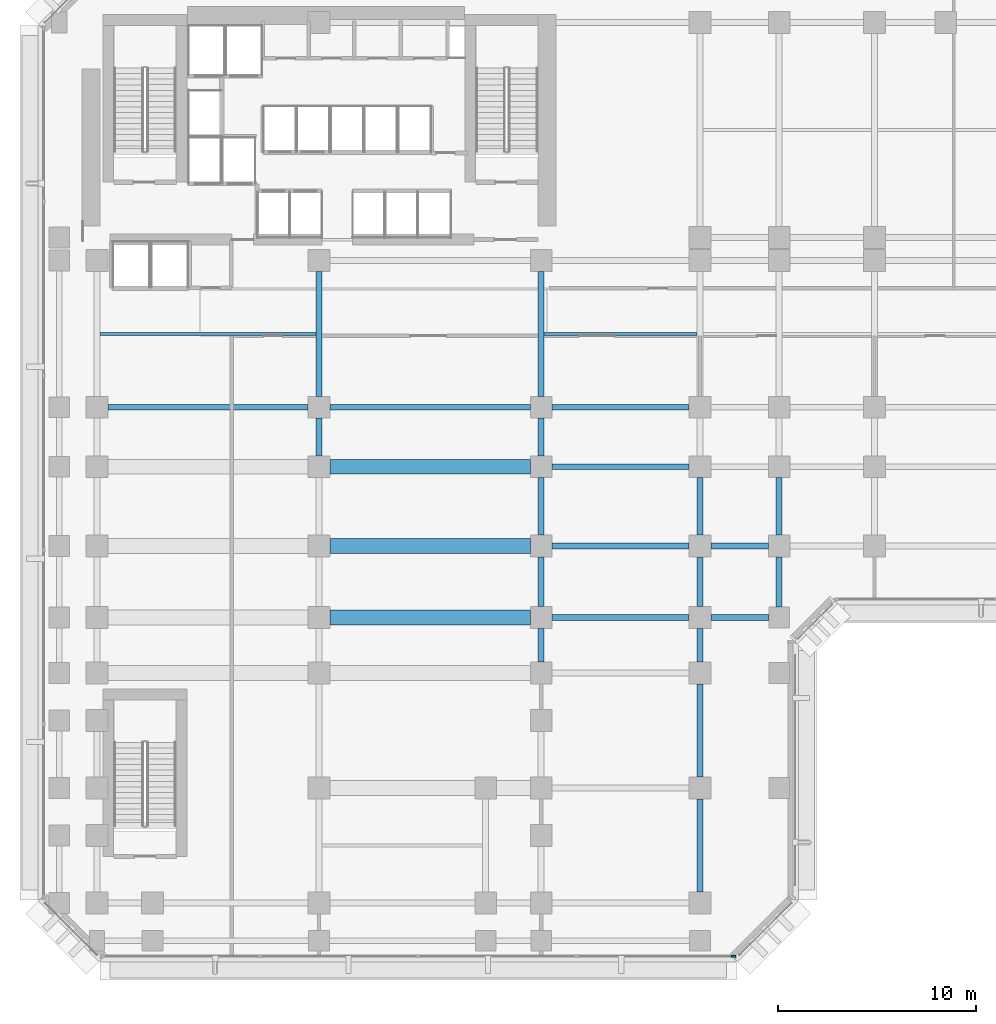
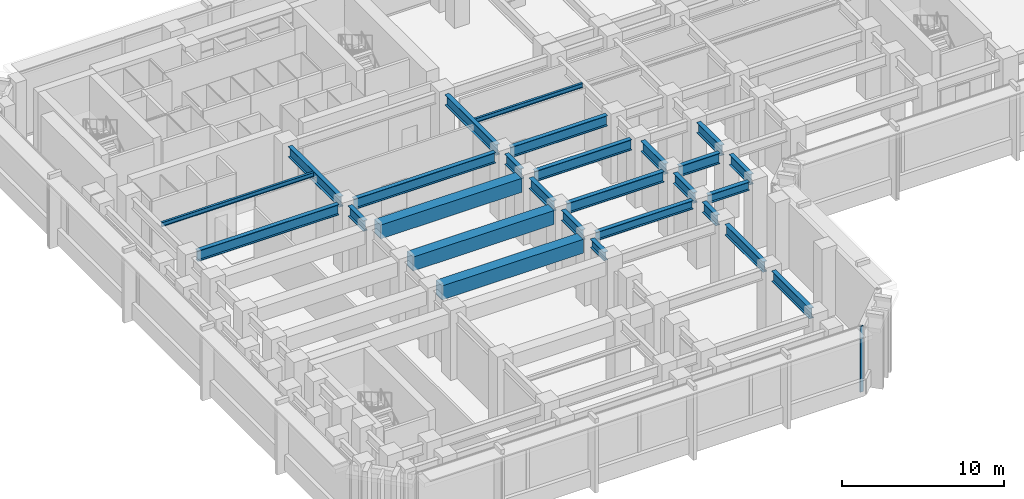
# One storey, part 3 of 20: 27 beams, 1 member, 1 element without a shape of its own.
"""IFC4 building model written with IfcOpenShell, lengths in metres."""

import ifcopenshell
import ifcopenshell.guid

model = None  # the IFC model being written
_history = None  # IfcOwnerHistory: only IFC2X3 demands one
_inside = {}  # id of a spatial element -> (the spatial element, [elements in it])
_under = {}  # id of a project, library or spatial element -> (it, [spatial elements below it])
_declared = {}  # id of a project -> (the project, [libraries it declares])
_typed = {}  # id of a type object -> (the type object, [elements of that type])
_made_of = {}  # id of a material, layer set ... -> (it, [elements and type objects made of it])


def new_model(schema):
    """Start an empty IFC model of exactly this schema.

    Asked for "IFC4X3", IfcOpenShell would pick the latest addendum, in which some entities
    have other attributes; the version numbers below select the first issue.
    IFC2X3 requires an IfcOwnerHistory on every rooted entity: one is made here for all.
    """
    global model, _history
    if schema == "IFC4X3":
        model = ifcopenshell.file(schema_version=(4, 3, 0, 0))
    else:
        model = ifcopenshell.file(schema=schema)
    _inside.clear()
    _under.clear()
    _declared.clear()
    _typed.clear()
    _made_of.clear()
    _history = None
    if model.schema == "IFC2X3":
        org = make("IfcOrganization", Name="unknown")
        user = make(
            "IfcPersonAndOrganization",
            ThePerson=make("IfcPerson", FamilyName="unknown"),
            TheOrganization=org,
        )
        app = make(
            "IfcApplication",
            ApplicationDeveloper=org,
            Version="unknown",
            ApplicationFullName="unknown",
            ApplicationIdentifier="unknown",
        )
        _history = make(
            "IfcOwnerHistory",
            OwningUser=user,
            OwningApplication=app,
            ChangeAction="ADDED",
            CreationDate=0,
        )
    return model


def make(cls, **values):
    """One entity of the class cls with the attributes given. An attribute that is None is left unset."""
    return model.create_entity(
        cls, **{name: value for name, value in values.items() if value is not None}
    )


def rooted(cls, **values):
    """An entity with a GlobalId (a new one), such as an element, a storey or a relation."""
    return make(cls, GlobalId=ifcopenshell.guid.new(), OwnerHistory=_history, **values)


def si_unit(unit_type, name, prefix=None):
    """IfcSIUnit, for example si_unit("LENGTHUNIT", "METRE", prefix="MILLI")."""
    return make("IfcSIUnit", UnitType=unit_type, Prefix=prefix, Name=name)


def assignment(units):
    """IfcUnitAssignment: the units of a project."""
    return None if units is None else make("IfcUnitAssignment", Units=units)


def point(xyz):
    """IfcCartesianPoint."""
    return None if xyz is None else make("IfcCartesianPoint", Coordinates=xyz)


def direction(xyz):
    """IfcDirection."""
    return None if xyz is None else make("IfcDirection", DirectionRatios=xyz)


def frame(location, z_axis=None, x_axis=None):
    """IfcAxis2Placement3D, a coordinate frame: its origin and axes. An axis left out is left unset."""
    return make(
        "IfcAxis2Placement3D",
        Location=point(location),
        Axis=direction(z_axis),
        RefDirection=direction(x_axis),
    )


def frame_2d(location, x_axis=None):
    """IfcAxis2Placement2D, a coordinate frame in the plane: its origin and x axis."""
    return make(
        "IfcAxis2Placement2D", Location=point(location), RefDirection=direction(x_axis)
    )


def origin():
    """The frame at (0, 0, 0) with its axes left unset."""
    return frame((0.0, 0.0, 0.0))


def origin_2d():
    """The frame at (0, 0) in the plane with its x axis left unset."""
    return frame_2d((0.0, 0.0))


def place(relative_to, where):
    """IfcLocalPlacement: puts the frame where relative to a parent placement (None: the world)."""
    return make(
        "IfcLocalPlacement", PlacementRelTo=relative_to, RelativePlacement=where
    )


def context(
    kind, dimensions, precision=None, world=None, true_north=None, identifier=None
):
    """IfcGeometricRepresentationContext, for example the 3D "Model" context."""
    return make(
        "IfcGeometricRepresentationContext",
        ContextIdentifier=identifier,
        ContextType=kind,
        CoordinateSpaceDimension=dimensions,
        Precision=precision,
        WorldCoordinateSystem=world,
        TrueNorth=true_north,
    )


def subcontext(parent, identifier, kind, view, scale=None):
    """IfcGeometricRepresentationSubContext, for example "Body" below "Model"."""
    return make(
        "IfcGeometricRepresentationSubContext",
        ContextIdentifier=identifier,
        ContextType=kind,
        ParentContext=parent,
        TargetScale=scale,
        TargetView=view,
    )


def project(units=None, contexts=None):
    """IfcProject with its units and contexts."""
    return rooted(
        "IfcProject",
        Name="project",
        RepresentationContexts=contexts,
        UnitsInContext=assignment(units),
    )


def spatial(cls, under=None, at=None, **own):
    """A site, building, storey or space (cls), placed at a placement, below another one or the project."""
    s = rooted(cls, ObjectPlacement=at, **own)
    if under is not None:
        _under.setdefault(under.id(), (under, []))[1].append(s)
    return s


def profile(cls, at=None, kind="AREA", **sizes):
    """A parametric profile (cls). Its sizes go by their IFC names, for example OverallWidth=200.0."""
    return make(cls, ProfileType=kind, Position=at, **sizes)


def rectangle(**sizes):
    """IfcRectangleProfileDef."""
    return profile("IfcRectangleProfileDef", **sizes)


def i_section(**sizes):
    """IfcIShapeProfileDef."""
    return profile("IfcIShapeProfileDef", **sizes)


def extrude(swept, where, along, depth):
    """IfcExtrudedAreaSolid: the profile swept, set in the frame where, extruded along a direction by depth."""
    return make(
        "IfcExtrudedAreaSolid",
        SweptArea=swept,
        Position=where,
        ExtrudedDirection=direction(along),
        Depth=depth,
    )


def shape(context_of_items, identifier, shape_type, items):
    """IfcShapeRepresentation: the items that make up one representation, for example the "Body"."""
    return make(
        "IfcShapeRepresentation",
        ContextOfItems=context_of_items,
        RepresentationIdentifier=identifier,
        RepresentationType=shape_type,
        Items=items,
    )


def material(Name=None, Category=None):
    """IfcMaterial."""
    return make("IfcMaterial", Name=Name, Category=Category)


def layer(
    of_material, thickness, ventilated=None, Name=None, Category=None, Priority=None
):
    """IfcMaterialLayer: one layer of a wall or slab, of a material (None: an air gap)."""
    return make(
        "IfcMaterialLayer",
        Material=of_material,
        LayerThickness=thickness,
        IsVentilated=ventilated,
        Name=Name,
        Category=Category,
        Priority=Priority,
    )


def layer_set(layers, Name=None):
    """IfcMaterialLayerSet."""
    return make("IfcMaterialLayerSet", MaterialLayers=layers, LayerSetName=Name)


def material_profile(
    of_material, cross_section, Name=None, Category=None, Priority=None
):
    """IfcMaterialProfile: a cross section and its material."""
    return make(
        "IfcMaterialProfile",
        Name=Name,
        Material=of_material,
        Profile=cross_section,
        Priority=Priority,
        Category=Category,
    )


def profile_set(profiles, Name=None, composite=None):
    """IfcMaterialProfileSet."""
    return make(
        "IfcMaterialProfileSet",
        Name=Name,
        MaterialProfiles=profiles,
        CompositeProfile=composite,
    )


def made_of(thing, what):
    """Note that an element or type object is made of a material, layer set ...; save() writes the relation."""
    if what is not None:
        _made_of.setdefault(what.id(), (what, []))[1].append(thing)
    return thing


def type_object(cls, material=None, **own):
    """A type object (cls), such as IfcWallType, which elements share."""
    return made_of(rooted(cls, **own), material)


def element(
    cls,
    number,
    at=None,
    inside=None,
    cuts=None,
    type_object=None,
    material=None,
    context=None,
    identifier="Body",
    shape_type=None,
    held_by="IfcProductDefinitionShape",
    body=None,
    shapes=None,
    **own,
):
    """One element of the class cls, such as IfcWall. Its Tag is "e" and its number.

    at: its placement. inside: the storey or other place that contains it. cuts: it is an
    opening in that element (IfcRelVoidsElement). A single representation is given by context,
    identifier, shape_type and body (its items); several are given by shapes. held_by: the class
    of the entity that holds the representations. save() writes the other relations.
    """
    e = rooted(cls, Tag="e%d" % number, ObjectPlacement=at, **own)
    if body is not None:
        shapes = [shape(context, identifier, shape_type, body)]
    if shapes is not None:
        e.Representation = make(held_by, Representations=shapes)
    if inside is not None:
        _inside.setdefault(inside.id(), (inside, []))[1].append(e)
    if cuts is not None:
        rooted(
            "IfcRelVoidsElement", RelatingBuildingElement=cuts, RelatedOpeningElement=e
        )
    if type_object is not None:
        _typed.setdefault(type_object.id(), (type_object, []))[1].append(e)
    return made_of(e, material)


def aggregate(whole, parts):
    """IfcRelAggregates: a whole, such as a stair, and the parts it consists of."""
    return rooted("IfcRelAggregates", RelatingObject=whole, RelatedObjects=parts)


def save(model, path):
    """Write the relations noted so far, then the file.

    IfcRelAggregates (storeys below a building ...), IfcRelContainedInSpatialStructure (elements
    in a storey), IfcRelDefinesByType, IfcRelAssociatesMaterial and IfcRelDeclares: one each for
    every whole, place, type object, material and project.
    """
    for whole, parts in _under.values():
        aggregate(whole, parts)
    for where, things in _inside.values():
        rooted(
            "IfcRelContainedInSpatialStructure",
            RelatedElements=things,
            RelatingStructure=where,
        )
    for kind, things in _typed.values():
        rooted("IfcRelDefinesByType", RelatedObjects=things, RelatingType=kind)
    for what, things in _made_of.values():
        rooted("IfcRelAssociatesMaterial", RelatedObjects=things, RelatingMaterial=what)
    for by, libraries in _declared.values():
        rooted("IfcRelDeclares", RelatingContext=by, RelatedDefinitions=libraries)
    model.write(path)


model = new_model("IFC4")

# Units and contexts
model_context = context("Model", 3, precision=1e-05, world=origin(), true_north=direction((0.0, 1.0)))
body_context = subcontext(model_context, "Body", "Model", "MODEL_VIEW")
ifc_project = project(units=[si_unit("LENGTHUNIT", "METRE"), si_unit("AREAUNIT", "SQUARE_METRE"), si_unit("VOLUMEUNIT", "CUBIC_METRE"), si_unit("PLANEANGLEUNIT", "RADIAN"), si_unit("MASSUNIT", "GRAM", prefix="KILO")], contexts=[model_context])

# Site, building, storey
site_placement = place(None, origin())
site = spatial("IfcSite", under=ifc_project, at=site_placement, CompositionType="ELEMENT")
building_placement = place(site_placement, origin())
building = spatial("IfcBuilding", under=site, at=building_placement, Name="Kefirva Bronze Tower", CompositionType="ELEMENT")
storey_placement = place(building_placement, frame((0.0, 0.0, 5.93994140625)))
storey = spatial("IfcBuildingStorey", under=building, at=storey_placement, Name="L01", CompositionType="ELEMENT", Elevation=5.93994140625)

# Curtain wall, member
ifc_material_1 = material(Name="Bronze anodised aluminium", Category="aluminium")
ifc_layer = layer(ifc_material_1, 0.239990234375, Name="Bronze anodised aluminium")
ifc_layer_set = layer_set([ifc_layer], Name="Bronze anodised aluminium")
curtain_wall_type = type_object("IfcCurtainWallType", Name="Podium Double-Height Glazed Curtain Wall", PredefinedType="USERDEFINED", material=ifc_layer_set)
curtain_wall_placement = place(storey_placement, origin())
curtain_wall = element("IfcCurtainWall", 1, at=curtain_wall_placement, inside=storey, type_object=curtain_wall_type, Name="L01 Curtain Wall 1", ObjectType="UNITISED CURTAIN WALL", PredefinedType="USERDEFINED")
ifc_material_profile_1 = material_profile(ifc_material_1, rectangle(XDim=0.090087890625, YDim=0.219970703125, at=origin_2d()), Name="ALU 90x220")
ifc_profile_set_1 = profile_set([ifc_material_profile_1], Name="Bronze anodised aluminium")
member_type = type_object("IfcMemberType", Name="Bronze Mullion 90x220", PredefinedType="MULLION", material=ifc_profile_set_1)
member_placement = place(storey_placement, frame((32.89990234375, -1.8798828125, 0.0), z_axis=(0.0, 0.0, 1.0), x_axis=(0.0, 1.0, 0.0)))
member = element("IfcMember", 2, at=member_placement, type_object=member_type, Name="CW-05 mullion 5", PredefinedType="MULLION", context=body_context, shape_type="SweptSolid", body=[
    extrude(rectangle(XDim=0.090087890625, YDim=0.219970703125, at=origin_2d()), origin(), (0.0, 0.0, 1.0), 4.9599609375),
])
aggregate(curtain_wall, [member])

# Beams
ifc_material_2 = material(Name="Concrete C50/60", Category="concrete")
ifc_material_profile_2 = material_profile(ifc_material_2, rectangle(XDim=0.75, YDim=1.050048828125, at=origin_2d()), Name="RC 750x1050")
ifc_profile_set_2 = profile_set([ifc_material_profile_2], Name="Concrete C50/60")
beam_type_1 = type_object("IfcBeamType", Name="RC Basement Girder 750x1050", PredefinedType="USERDEFINED", material=ifc_profile_set_2)
for number, where, z_axis, x_axis, name in (
    (3, (12.550048828125, 15.199951171875, 4.43505859375), (1.0, 0.0, 0.0), (0.0, 1.0, 0.0), "L01 BG-L01-12-152"),
    (4, (12.550048828125, 18.800048828125, 4.43505859375), (1.0, 0.0, 0.0), (0.0, 1.0, 0.0), "L01 BG-L01-12-188"),
    (5, (12.550048828125, 22.800048828125, 4.43505859375), (1.0, 0.0, 0.0), (0.0, 1.0, 0.0), "L01 BG-L01-12-228"),
):
    element("IfcBeam", number, at=place(storey_placement, frame(where, z_axis=z_axis, x_axis=x_axis)), inside=storey, type_object=beam_type_1, Name=name, ObjectType="GIRDER", PredefinedType="USERDEFINED", context=body_context, shape_type="SweptSolid", body=[
        extrude(rectangle(XDim=0.75, YDim=1.050048828125, at=origin_2d()), origin(), (0.0, 0.0, 1.0), 10.099853515625),
    ])
ifc_material_3 = material(Name="Steel S355", Category="steel")
ifc_material_profile_3 = material_profile(ifc_material_3, i_section(OverallWidth=0.159912109375, OverallDepth=0.330078125, WebThickness=0.007568359375, FlangeThickness=0.011474609375, at=origin_2d()), Name="IPE 330")
ifc_profile_set_3 = profile_set([ifc_material_profile_3], Name="Steel S355")
beam_type_2 = type_object("IfcBeamType", Name="Steel Floor Joist IPE 330", PredefinedType="JOIST", material=ifc_profile_set_3)
beam_1_placement = place(storey_placement, frame((0.949951171875, 29.5, 4.795166015625), z_axis=(1.0, 0.0, 0.0), x_axis=(0.0, 1.0, 0.0)))
element("IfcBeam", 6, at=beam_1_placement, inside=storey, type_object=beam_type_2, Name="L01 JST-L01-0-295", PredefinedType="JOIST", context=body_context, shape_type="SweptSolid", body=[
    extrude(i_section(OverallWidth=0.159912109375, OverallDepth=0.330078125, WebThickness=0.007568359375, FlangeThickness=0.011474609375, at=origin_2d()), origin(), (0.0, 0.0, 1.0), 10.900146484375),
])
beam_2_placement = place(storey_placement, frame((23.35009765625, 29.5, 4.795166015625), z_axis=(1.0, 0.0, 0.0), x_axis=(0.0, 1.0, 0.0)))
element("IfcBeam", 7, at=beam_2_placement, inside=storey, type_object=beam_type_2, Name="L01 JST-L01-23-295", PredefinedType="JOIST", context=body_context, shape_type="SweptSolid", body=[
    extrude(i_section(OverallWidth=0.159912109375, OverallDepth=0.330078125, WebThickness=0.007568359375, FlangeThickness=0.011474609375, at=origin_2d()), origin(), (0.0, 0.0, 1.0), 7.699951171875),
])
ifc_material_profile_4 = material_profile(ifc_material_3, i_section(OverallWidth=0.300048828125, OverallDepth=0.800048828125, WebThickness=0.017578125, FlangeThickness=0.032958984375, at=origin_2d()), Name="HEB 800")
ifc_profile_set_4 = profile_set([ifc_material_profile_4], Name="Steel S355")
beam_type_3 = type_object("IfcBeamType", Name="Steel Girder HEB 800", PredefinedType="USERDEFINED", material=ifc_profile_set_4)
beam_3_placement = place(storey_placement, frame((23.75, 18.800048828125, 4.56005859375), z_axis=(1.0, 0.0, 0.0), x_axis=(0.0, 1.0, 0.0)))
element("IfcBeam", 8, at=beam_3_placement, inside=storey, type_object=beam_type_3, Name="L01 BM-L01-EW-23-188", ObjectType="GIRDER", PredefinedType="USERDEFINED", context=body_context, shape_type="SweptSolid", body=[
    extrude(i_section(OverallWidth=0.300048828125, OverallDepth=0.800048828125, WebThickness=0.017578125, FlangeThickness=0.032958984375, at=origin_2d()), origin(), (0.0, 0.0, 1.0), 6.89990234375),
])
beam_4_placement = place(storey_placement, frame((31.75, 18.800048828125, 4.56005859375), z_axis=(1.0, 0.0, 0.0), x_axis=(0.0, 1.0, 0.0)))
element("IfcBeam", 9, at=beam_4_placement, inside=storey, type_object=beam_type_3, Name="L01 BM-L01-EW-31-188", ObjectType="GIRDER", PredefinedType="USERDEFINED", context=body_context, shape_type="SweptSolid", body=[
    extrude(i_section(OverallWidth=0.300048828125, OverallDepth=0.800048828125, WebThickness=0.017578125, FlangeThickness=0.032958984375, at=origin_2d()), origin(), (0.0, 0.0, 1.0), 2.89990234375),
])
beam_5_placement = place(storey_placement, frame((23.75, 22.800048828125, 4.56005859375), z_axis=(1.0, 0.0, 0.0), x_axis=(0.0, 1.0, 0.0)))
element("IfcBeam", 10, at=beam_5_placement, inside=storey, type_object=beam_type_3, Name="L01 BM-L01-EW-23-228", ObjectType="GIRDER", PredefinedType="USERDEFINED", context=body_context, shape_type="SweptSolid", body=[
    extrude(i_section(OverallWidth=0.300048828125, OverallDepth=0.800048828125, WebThickness=0.017578125, FlangeThickness=0.032958984375, at=origin_2d()), origin(), (0.0, 0.0, 1.0), 6.89990234375),
])
for number, where, z_axis, x_axis, name in (
    (11, (1.35009765625, 25.800048828125, 4.56005859375), (1.0, 0.0, 0.0), (0.0, 1.0, 0.0), "L01 BM-L01-EW-0-258"),
    (12, (12.550048828125, 25.800048828125, 4.56005859375), (1.0, 0.0, 0.0), (0.0, 1.0, 0.0), "L01 BM-L01-EW-12-258"),
):
    element("IfcBeam", number, at=place(storey_placement, frame(where, z_axis=z_axis, x_axis=x_axis)), inside=storey, type_object=beam_type_3, Name=name, ObjectType="GIRDER", PredefinedType="USERDEFINED", context=body_context, shape_type="SweptSolid", body=[
        extrude(i_section(OverallWidth=0.300048828125, OverallDepth=0.800048828125, WebThickness=0.017578125, FlangeThickness=0.032958984375, at=origin_2d()), origin(), (0.0, 0.0, 1.0), 10.099853515625),
    ])
beam_6_placement = place(storey_placement, frame((23.75, 25.800048828125, 4.56005859375), z_axis=(1.0, 0.0, 0.0), x_axis=(0.0, 1.0, 0.0)))
element("IfcBeam", 13, at=beam_6_placement, inside=storey, type_object=beam_type_3, Name="L01 BM-L01-EW-23-258", ObjectType="GIRDER", PredefinedType="USERDEFINED", context=body_context, shape_type="SweptSolid", body=[
    extrude(i_section(OverallWidth=0.300048828125, OverallDepth=0.800048828125, WebThickness=0.017578125, FlangeThickness=0.032958984375, at=origin_2d()), origin(), (0.0, 0.0, 1.0), 6.89990234375),
])
beam_7_placement = place(storey_placement, frame((12.0, 23.35009765625, 4.56005859375), z_axis=(0.0, 1.0, 0.0), x_axis=(-1.0, 0.0, 0.0)))
element("IfcBeam", 14, at=beam_7_placement, inside=storey, type_object=beam_type_3, Name="L01 BM-L01-NS-120-22", ObjectType="GIRDER", PredefinedType="USERDEFINED", context=body_context, shape_type="SweptSolid", body=[
    extrude(i_section(OverallWidth=0.300048828125, OverallDepth=0.800048828125, WebThickness=0.017578125, FlangeThickness=0.032958984375, at=origin_2d()), origin(), (0.0, 0.0, 1.0), 1.89990234375),
])
beam_8_placement = place(storey_placement, frame((12.0, 26.35009765625, 4.56005859375), z_axis=(0.0, 1.0, 0.0), x_axis=(-1.0, 0.0, 0.0)))
element("IfcBeam", 15, at=beam_8_placement, inside=storey, type_object=beam_type_3, Name="L01 BM-L01-NS-120-25", ObjectType="GIRDER", PredefinedType="USERDEFINED", context=body_context, shape_type="SweptSolid", body=[
    extrude(i_section(OverallWidth=0.300048828125, OverallDepth=0.800048828125, WebThickness=0.017578125, FlangeThickness=0.032958984375, at=origin_2d()), origin(), (0.0, 0.0, 1.0), 6.2998046875),
])
beam_9_placement = place(storey_placement, frame((23.199951171875, 15.75, 4.56005859375), z_axis=(0.0, 1.0, 0.0), x_axis=(-1.0, 0.0, 0.0)))
element("IfcBeam", 16, at=beam_9_placement, inside=storey, type_object=beam_type_3, Name="L01 BM-L01-NS-232-15", ObjectType="GIRDER", PredefinedType="USERDEFINED", context=body_context, shape_type="SweptSolid", body=[
    extrude(i_section(OverallWidth=0.300048828125, OverallDepth=0.800048828125, WebThickness=0.017578125, FlangeThickness=0.032958984375, at=origin_2d()), origin(), (0.0, 0.0, 1.0), 2.5),
])
beam_10_placement = place(storey_placement, frame((23.199951171875, 19.35009765625, 4.56005859375), z_axis=(0.0, 1.0, 0.0), x_axis=(-1.0, 0.0, 0.0)))
element("IfcBeam", 17, at=beam_10_placement, inside=storey, type_object=beam_type_3, Name="L01 BM-L01-NS-232-18", ObjectType="GIRDER", PredefinedType="USERDEFINED", context=body_context, shape_type="SweptSolid", body=[
    extrude(i_section(OverallWidth=0.300048828125, OverallDepth=0.800048828125, WebThickness=0.017578125, FlangeThickness=0.032958984375, at=origin_2d()), origin(), (0.0, 0.0, 1.0), 2.89990234375),
])
beam_11_placement = place(storey_placement, frame((23.199951171875, 23.35009765625, 4.56005859375), z_axis=(0.0, 1.0, 0.0), x_axis=(-1.0, 0.0, 0.0)))
element("IfcBeam", 18, at=beam_11_placement, inside=storey, type_object=beam_type_3, Name="L01 BM-L01-NS-232-22", ObjectType="GIRDER", PredefinedType="USERDEFINED", context=body_context, shape_type="SweptSolid", body=[
    extrude(i_section(OverallWidth=0.300048828125, OverallDepth=0.800048828125, WebThickness=0.017578125, FlangeThickness=0.032958984375, at=origin_2d()), origin(), (0.0, 0.0, 1.0), 1.89990234375),
])
beam_12_placement = place(storey_placement, frame((23.199951171875, 26.35009765625, 4.56005859375), z_axis=(0.0, 1.0, 0.0), x_axis=(-1.0, 0.0, 0.0)))
element("IfcBeam", 19, at=beam_12_placement, inside=storey, type_object=beam_type_3, Name="L01 BM-L01-NS-232-25", ObjectType="GIRDER", PredefinedType="USERDEFINED", context=body_context, shape_type="SweptSolid", body=[
    extrude(i_section(OverallWidth=0.300048828125, OverallDepth=0.800048828125, WebThickness=0.017578125, FlangeThickness=0.032958984375, at=origin_2d()), origin(), (0.0, 0.0, 1.0), 6.2998046875),
])
beam_13_placement = place(storey_placement, frame((31.199951171875, 1.35009765625, 4.56005859375), z_axis=(0.0, 1.0, 0.0), x_axis=(-1.0, 0.0, 0.0)))
element("IfcBeam", 20, at=beam_13_placement, inside=storey, type_object=beam_type_3, Name="L01 BM-L01-NS-312-0", ObjectType="GIRDER", PredefinedType="USERDEFINED", context=body_context, shape_type="SweptSolid", body=[
    extrude(i_section(OverallWidth=0.300048828125, OverallDepth=0.800048828125, WebThickness=0.017578125, FlangeThickness=0.032958984375, at=origin_2d()), origin(), (0.0, 0.0, 1.0), 4.699951171875),
])
beam_14_placement = place(storey_placement, frame((31.199951171875, 7.14990234375, 4.56005859375), z_axis=(0.0, 1.0, 0.0), x_axis=(-1.0, 0.0, 0.0)))
element("IfcBeam", 21, at=beam_14_placement, inside=storey, type_object=beam_type_3, Name="L01 BM-L01-NS-312-6", ObjectType="GIRDER", PredefinedType="USERDEFINED", context=body_context, shape_type="SweptSolid", body=[
    extrude(i_section(OverallWidth=0.300048828125, OverallDepth=0.800048828125, WebThickness=0.017578125, FlangeThickness=0.032958984375, at=origin_2d()), origin(), (0.0, 0.0, 1.0), 4.7001953125),
])
beam_15_placement = place(storey_placement, frame((31.199951171875, 12.949951171875, 4.56005859375), z_axis=(0.0, 1.0, 0.0), x_axis=(-1.0, 0.0, 0.0)))
element("IfcBeam", 22, at=beam_15_placement, inside=storey, type_object=beam_type_3, Name="L01 BM-L01-NS-312-12", ObjectType="GIRDER", PredefinedType="USERDEFINED", context=body_context, shape_type="SweptSolid", body=[
    extrude(i_section(OverallWidth=0.300048828125, OverallDepth=0.800048828125, WebThickness=0.017578125, FlangeThickness=0.032958984375, at=origin_2d()), origin(), (0.0, 0.0, 1.0), 1.699951171875),
])
beam_16_placement = place(storey_placement, frame((31.199951171875, 15.75, 4.56005859375), z_axis=(0.0, 1.0, 0.0), x_axis=(-1.0, 0.0, 0.0)))
element("IfcBeam", 23, at=beam_16_placement, inside=storey, type_object=beam_type_3, Name="L01 BM-L01-NS-312-15", ObjectType="GIRDER", PredefinedType="USERDEFINED", context=body_context, shape_type="SweptSolid", body=[
    extrude(i_section(OverallWidth=0.300048828125, OverallDepth=0.800048828125, WebThickness=0.017578125, FlangeThickness=0.032958984375, at=origin_2d()), origin(), (0.0, 0.0, 1.0), 2.5),
])
beam_17_placement = place(storey_placement, frame((31.199951171875, 19.35009765625, 4.56005859375), z_axis=(0.0, 1.0, 0.0), x_axis=(-1.0, 0.0, 0.0)))
element("IfcBeam", 24, at=beam_17_placement, inside=storey, type_object=beam_type_3, Name="L01 BM-L01-NS-312-18", ObjectType="GIRDER", PredefinedType="USERDEFINED", context=body_context, shape_type="SweptSolid", body=[
    extrude(i_section(OverallWidth=0.300048828125, OverallDepth=0.800048828125, WebThickness=0.017578125, FlangeThickness=0.032958984375, at=origin_2d()), origin(), (0.0, 0.0, 1.0), 2.89990234375),
])
beam_18_placement = place(storey_placement, frame((35.199951171875, 15.72509765625, 4.56005859375), z_axis=(0.0, 1.0, 0.0), x_axis=(-1.0, 0.0, 0.0)))
element("IfcBeam", 25, at=beam_18_placement, inside=storey, type_object=beam_type_3, Name="L01 BM-L01-NS-352-15", ObjectType="GIRDER", PredefinedType="USERDEFINED", context=body_context, shape_type="SweptSolid", body=[
    extrude(i_section(OverallWidth=0.300048828125, OverallDepth=0.800048828125, WebThickness=0.017578125, FlangeThickness=0.032958984375, at=origin_2d()), origin(), (0.0, 0.0, 1.0), 2.52490234375),
])
beam_19_placement = place(storey_placement, frame((35.199951171875, 19.35009765625, 4.56005859375), z_axis=(0.0, 1.0, 0.0), x_axis=(-1.0, 0.0, 0.0)))
element("IfcBeam", 26, at=beam_19_placement, inside=storey, type_object=beam_type_3, Name="L01 BM-L01-NS-352-18", ObjectType="GIRDER", PredefinedType="USERDEFINED", context=body_context, shape_type="SweptSolid", body=[
    extrude(i_section(OverallWidth=0.300048828125, OverallDepth=0.800048828125, WebThickness=0.017578125, FlangeThickness=0.032958984375, at=origin_2d()), origin(), (0.0, 0.0, 1.0), 2.89990234375),
])
ifc_material_profile_5 = material_profile(ifc_material_3, i_section(OverallWidth=0.300048828125, OverallDepth=0.64990234375, WebThickness=0.01611328125, FlangeThickness=0.031005859375, at=origin_2d()), Name="HEB 650")
ifc_profile_set_5 = profile_set([ifc_material_profile_5], Name="Steel S355")
beam_type_4 = type_object("IfcBeamType", Name="Steel Spandrel HEB 650 Ext", PredefinedType="SPANDREL", material=ifc_profile_set_5)
beam_20_placement = place(storey_placement, frame((23.75, 15.199951171875, 4.635009765625), z_axis=(1.0, 0.0, 0.0), x_axis=(0.0, 1.0, 0.0)))
element("IfcBeam", 27, at=beam_20_placement, inside=storey, type_object=beam_type_4, Name="L01 BM-L01-EW-23-152", PredefinedType="SPANDREL", context=body_context, shape_type="SweptSolid", body=[
    extrude(i_section(OverallWidth=0.300048828125, OverallDepth=0.64990234375, WebThickness=0.01611328125, FlangeThickness=0.031005859375, at=origin_2d()), origin(), (0.0, 0.0, 1.0), 6.89990234375),
])
beam_21_placement = place(storey_placement, frame((31.75, 15.199951171875, 4.635009765625), z_axis=(1.0, 0.0, 0.0), x_axis=(0.0, 1.0, 0.0)))
element("IfcBeam", 28, at=beam_21_placement, inside=storey, type_object=beam_type_4, Name="L01 BM-L01-EW-31-152", PredefinedType="SPANDREL", context=body_context, shape_type="SweptSolid", body=[
    extrude(i_section(OverallWidth=0.300048828125, OverallDepth=0.64990234375, WebThickness=0.01611328125, FlangeThickness=0.031005859375, at=origin_2d()), origin(), (0.0, 0.0, 1.0), 2.925048828125),
])
beam_22_placement = place(storey_placement, frame((23.199951171875, 12.949951171875, 4.635009765625), z_axis=(0.0, 1.0, 0.0), x_axis=(-1.0, 0.0, 0.0)))
element("IfcBeam", 29, at=beam_22_placement, inside=storey, type_object=beam_type_4, Name="L01 BM-L01-NS-232-12", PredefinedType="SPANDREL", context=body_context, shape_type="SweptSolid", body=[
    extrude(i_section(OverallWidth=0.300048828125, OverallDepth=0.64990234375, WebThickness=0.01611328125, FlangeThickness=0.031005859375, at=origin_2d()), origin(), (0.0, 0.0, 1.0), 1.699951171875),
])

save(model, "model.ifc")
